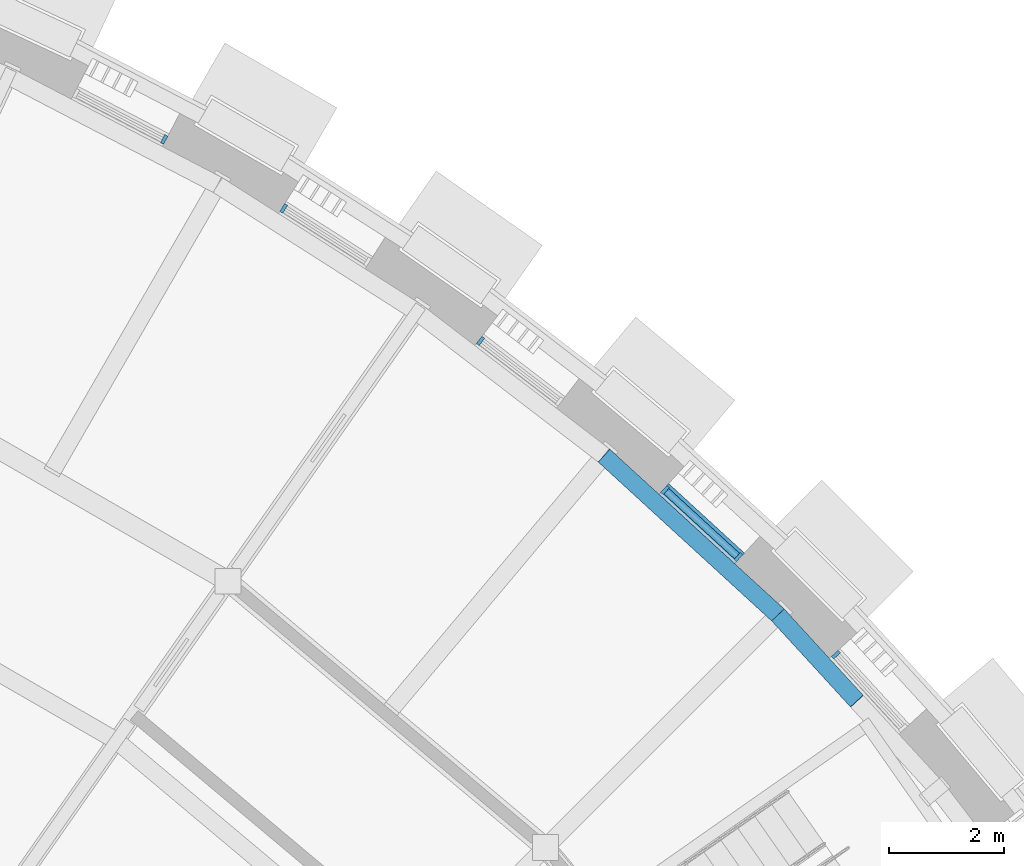
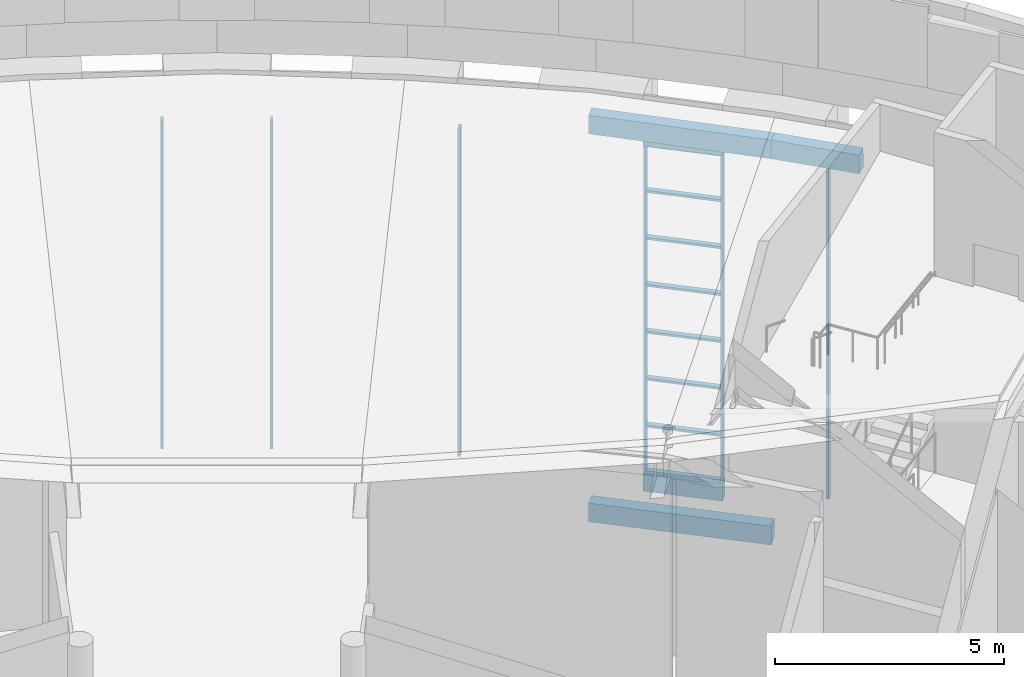
# One storey, part 31 of 82: 14 members, 5 beams, 5 elements without a shape of their own.
"""IFC4 building model written with IfcOpenShell, lengths in metres."""

import ifcopenshell
import ifcopenshell.guid

model = None  # the IFC model being written
_history = None  # IfcOwnerHistory: only IFC2X3 demands one
_inside = {}  # id of a spatial element -> (the spatial element, [elements in it])
_under = {}  # id of a project, library or spatial element -> (it, [spatial elements below it])
_declared = {}  # id of a project -> (the project, [libraries it declares])
_typed = {}  # id of a type object -> (the type object, [elements of that type])
_made_of = {}  # id of a material, layer set ... -> (it, [elements and type objects made of it])


def new_model(schema):
    """Start an empty IFC model of exactly this schema.

    Asked for "IFC4X3", IfcOpenShell would pick the latest addendum, in which some entities
    have other attributes; the version numbers below select the first issue.
    IFC2X3 requires an IfcOwnerHistory on every rooted entity: one is made here for all.
    """
    global model, _history
    if schema == "IFC4X3":
        model = ifcopenshell.file(schema_version=(4, 3, 0, 0))
    else:
        model = ifcopenshell.file(schema=schema)
    _inside.clear()
    _under.clear()
    _declared.clear()
    _typed.clear()
    _made_of.clear()
    _history = None
    if model.schema == "IFC2X3":
        org = make("IfcOrganization", Name="unknown")
        user = make(
            "IfcPersonAndOrganization",
            ThePerson=make("IfcPerson", FamilyName="unknown"),
            TheOrganization=org,
        )
        app = make(
            "IfcApplication",
            ApplicationDeveloper=org,
            Version="unknown",
            ApplicationFullName="unknown",
            ApplicationIdentifier="unknown",
        )
        _history = make(
            "IfcOwnerHistory",
            OwningUser=user,
            OwningApplication=app,
            ChangeAction="ADDED",
            CreationDate=0,
        )
    return model


def make(cls, **values):
    """One entity of the class cls with the attributes given. An attribute that is None is left unset."""
    return model.create_entity(
        cls, **{name: value for name, value in values.items() if value is not None}
    )


def rooted(cls, **values):
    """An entity with a GlobalId (a new one), such as an element, a storey or a relation."""
    return make(cls, GlobalId=ifcopenshell.guid.new(), OwnerHistory=_history, **values)


def si_unit(unit_type, name, prefix=None):
    """IfcSIUnit, for example si_unit("LENGTHUNIT", "METRE", prefix="MILLI")."""
    return make("IfcSIUnit", UnitType=unit_type, Prefix=prefix, Name=name)


def assignment(units):
    """IfcUnitAssignment: the units of a project."""
    return None if units is None else make("IfcUnitAssignment", Units=units)


def point(xyz):
    """IfcCartesianPoint."""
    return None if xyz is None else make("IfcCartesianPoint", Coordinates=xyz)


def direction(xyz):
    """IfcDirection."""
    return None if xyz is None else make("IfcDirection", DirectionRatios=xyz)


def frame(location, z_axis=None, x_axis=None):
    """IfcAxis2Placement3D, a coordinate frame: its origin and axes. An axis left out is left unset."""
    return make(
        "IfcAxis2Placement3D",
        Location=point(location),
        Axis=direction(z_axis),
        RefDirection=direction(x_axis),
    )


def frame_2d(location, x_axis=None):
    """IfcAxis2Placement2D, a coordinate frame in the plane: its origin and x axis."""
    return make(
        "IfcAxis2Placement2D", Location=point(location), RefDirection=direction(x_axis)
    )


def origin():
    """The frame at (0, 0, 0) with its axes left unset."""
    return frame((0.0, 0.0, 0.0))


def origin_2d():
    """The frame at (0, 0) in the plane with its x axis left unset."""
    return frame_2d((0.0, 0.0))


def place(relative_to, where):
    """IfcLocalPlacement: puts the frame where relative to a parent placement (None: the world)."""
    return make(
        "IfcLocalPlacement", PlacementRelTo=relative_to, RelativePlacement=where
    )


def context(
    kind, dimensions, precision=None, world=None, true_north=None, identifier=None
):
    """IfcGeometricRepresentationContext, for example the 3D "Model" context."""
    return make(
        "IfcGeometricRepresentationContext",
        ContextIdentifier=identifier,
        ContextType=kind,
        CoordinateSpaceDimension=dimensions,
        Precision=precision,
        WorldCoordinateSystem=world,
        TrueNorth=true_north,
    )


def subcontext(parent, identifier, kind, view, scale=None):
    """IfcGeometricRepresentationSubContext, for example "Body" below "Model"."""
    return make(
        "IfcGeometricRepresentationSubContext",
        ContextIdentifier=identifier,
        ContextType=kind,
        ParentContext=parent,
        TargetScale=scale,
        TargetView=view,
    )


def project(units=None, contexts=None):
    """IfcProject with its units and contexts."""
    return rooted(
        "IfcProject",
        Name="project",
        RepresentationContexts=contexts,
        UnitsInContext=assignment(units),
    )


def spatial(cls, under=None, at=None, **own):
    """A site, building, storey or space (cls), placed at a placement, below another one or the project."""
    s = rooted(cls, ObjectPlacement=at, **own)
    if under is not None:
        _under.setdefault(under.id(), (under, []))[1].append(s)
    return s


def profile(cls, at=None, kind="AREA", **sizes):
    """A parametric profile (cls). Its sizes go by their IFC names, for example OverallWidth=200.0."""
    return make(cls, ProfileType=kind, Position=at, **sizes)


def rectangle(**sizes):
    """IfcRectangleProfileDef."""
    return profile("IfcRectangleProfileDef", **sizes)


def extrude(swept, where, along, depth):
    """IfcExtrudedAreaSolid: the profile swept, set in the frame where, extruded along a direction by depth."""
    return make(
        "IfcExtrudedAreaSolid",
        SweptArea=swept,
        Position=where,
        ExtrudedDirection=direction(along),
        Depth=depth,
    )


def shape(context_of_items, identifier, shape_type, items):
    """IfcShapeRepresentation: the items that make up one representation, for example the "Body"."""
    return make(
        "IfcShapeRepresentation",
        ContextOfItems=context_of_items,
        RepresentationIdentifier=identifier,
        RepresentationType=shape_type,
        Items=items,
    )


def material(Name=None, Category=None):
    """IfcMaterial."""
    return make("IfcMaterial", Name=Name, Category=Category)


def layer(
    of_material, thickness, ventilated=None, Name=None, Category=None, Priority=None
):
    """IfcMaterialLayer: one layer of a wall or slab, of a material (None: an air gap)."""
    return make(
        "IfcMaterialLayer",
        Material=of_material,
        LayerThickness=thickness,
        IsVentilated=ventilated,
        Name=Name,
        Category=Category,
        Priority=Priority,
    )


def layer_set(layers, Name=None):
    """IfcMaterialLayerSet."""
    return make("IfcMaterialLayerSet", MaterialLayers=layers, LayerSetName=Name)


def material_profile(
    of_material, cross_section, Name=None, Category=None, Priority=None
):
    """IfcMaterialProfile: a cross section and its material."""
    return make(
        "IfcMaterialProfile",
        Name=Name,
        Material=of_material,
        Profile=cross_section,
        Priority=Priority,
        Category=Category,
    )


def profile_set(profiles, Name=None, composite=None):
    """IfcMaterialProfileSet."""
    return make(
        "IfcMaterialProfileSet",
        Name=Name,
        MaterialProfiles=profiles,
        CompositeProfile=composite,
    )


def made_of(thing, what):
    """Note that an element or type object is made of a material, layer set ...; save() writes the relation."""
    if what is not None:
        _made_of.setdefault(what.id(), (what, []))[1].append(thing)
    return thing


def type_object(cls, material=None, **own):
    """A type object (cls), such as IfcWallType, which elements share."""
    return made_of(rooted(cls, **own), material)


def element(
    cls,
    number,
    at=None,
    inside=None,
    cuts=None,
    type_object=None,
    material=None,
    context=None,
    identifier="Body",
    shape_type=None,
    held_by="IfcProductDefinitionShape",
    body=None,
    shapes=None,
    **own,
):
    """One element of the class cls, such as IfcWall. Its Tag is "e" and its number.

    at: its placement. inside: the storey or other place that contains it. cuts: it is an
    opening in that element (IfcRelVoidsElement). A single representation is given by context,
    identifier, shape_type and body (its items); several are given by shapes. held_by: the class
    of the entity that holds the representations. save() writes the other relations.
    """
    e = rooted(cls, Tag="e%d" % number, ObjectPlacement=at, **own)
    if body is not None:
        shapes = [shape(context, identifier, shape_type, body)]
    if shapes is not None:
        e.Representation = make(held_by, Representations=shapes)
    if inside is not None:
        _inside.setdefault(inside.id(), (inside, []))[1].append(e)
    if cuts is not None:
        rooted(
            "IfcRelVoidsElement", RelatingBuildingElement=cuts, RelatedOpeningElement=e
        )
    if type_object is not None:
        _typed.setdefault(type_object.id(), (type_object, []))[1].append(e)
    return made_of(e, material)


def aggregate(whole, parts):
    """IfcRelAggregates: a whole, such as a stair, and the parts it consists of."""
    return rooted("IfcRelAggregates", RelatingObject=whole, RelatedObjects=parts)


def save(model, path):
    """Write the relations noted so far, then the file.

    IfcRelAggregates (storeys below a building ...), IfcRelContainedInSpatialStructure (elements
    in a storey), IfcRelDefinesByType, IfcRelAssociatesMaterial and IfcRelDeclares: one each for
    every whole, place, type object, material and project.
    """
    for whole, parts in _under.values():
        aggregate(whole, parts)
    for where, things in _inside.values():
        rooted(
            "IfcRelContainedInSpatialStructure",
            RelatedElements=things,
            RelatingStructure=where,
        )
    for kind, things in _typed.values():
        rooted("IfcRelDefinesByType", RelatedObjects=things, RelatingType=kind)
    for what, things in _made_of.values():
        rooted("IfcRelAssociatesMaterial", RelatedObjects=things, RelatingMaterial=what)
    for by, libraries in _declared.values():
        rooted("IfcRelDeclares", RelatingContext=by, RelatedDefinitions=libraries)
    model.write(path)


model = new_model("IFC4")

# Units and contexts
model_context = context("Model", 3, precision=1e-05, world=origin(), true_north=direction((0.0, 1.0)))
body_context = subcontext(model_context, "Body", "Model", "MODEL_VIEW")
ifc_project = project(units=[si_unit("LENGTHUNIT", "METRE"), si_unit("AREAUNIT", "SQUARE_METRE"), si_unit("VOLUMEUNIT", "CUBIC_METRE"), si_unit("PLANEANGLEUNIT", "RADIAN"), si_unit("MASSUNIT", "GRAM", prefix="KILO")], contexts=[model_context])

# Site, building, storey
site_placement = place(None, origin())
site = spatial("IfcSite", under=ifc_project, at=site_placement, CompositionType="ELEMENT")
building_placement = place(site_placement, origin())
building = spatial("IfcBuilding", under=site, at=building_placement, Name="Volute Hill Aquarium", CompositionType="ELEMENT")
storey_placement = place(building_placement, frame((0.0, 0.0, 13.800048828125)))
storey = spatial("IfcBuildingStorey", under=building, at=storey_placement, Name="L04", CompositionType="ELEMENT", Elevation=13.800048828125)

# Curtain wall, member
ifc_material_1 = material(Name="Aluminium", Category="aluminium")
ifc_layer = layer(ifc_material_1, 0.25)
ifc_layer_set = layer_set([ifc_layer], Name="Curtain wall niche S5 module 1786")
curtain_wall_type = type_object("IfcCurtainWallType", Name="Curtain wall niche S5 module 1786", PredefinedType="NOTDEFINED", material=ifc_layer_set)
curtain_wall_1_placement = place(storey_placement, origin())
curtain_wall_1 = element("IfcCurtainWall", 1, at=curtain_wall_1_placement, inside=storey, type_object=curtain_wall_type, Name="Curtain wall CW S5 L04 2", PredefinedType="NOTDEFINED")
ifc_material_2 = material(Name="Aluminium", Category="aluminium")
ifc_material_profile_1 = material_profile(ifc_material_2, rectangle(XDim=0.159912109375, YDim=0.06005859375, at=origin_2d()), Name="Curtain wall mullion S5 60x160")
ifc_profile_set_1 = profile_set([ifc_material_profile_1], Name="Aluminium")
member_type_1 = type_object("IfcMemberType", Name="Curtain wall mullion S5 60x160", PredefinedType="MULLION", material=ifc_profile_set_1)
member_1_placement = place(storey_placement, frame((34.238525390625, 32.544189453125, 0.449951171875), z_axis=(0.0, 0.0, 1.0), x_axis=(-0.737282446313, -0.675584631529, 0.0)))
member_1 = element("IfcMember", 2, at=member_1_placement, type_object=member_type_1, Name="CW mullion 2", PredefinedType="MULLION", context=body_context, shape_type="SweptSolid", body=[
    extrude(rectangle(XDim=0.159912109375, YDim=0.06005859375, at=origin_2d()), origin(), (0.0, 0.0, 1.0), 8.77587890625),
])
aggregate(curtain_wall_1, [member_1])

# Curtain wall, members
curtain_wall_2_placement = place(storey_placement, origin())
curtain_wall_2 = element("IfcCurtainWall", 3, at=curtain_wall_2_placement, inside=storey, type_object=curtain_wall_type, Name="Curtain wall CW S5 L04 3", PredefinedType="NOTDEFINED")
member_2_placement = place(storey_placement, frame((32.5439453125, 34.238525390625, 0.449951171875), z_axis=(0.0, 0.0, 1.0), x_axis=(-0.675584631529, -0.737282446313, 0.0)))
member_2 = element("IfcMember", 4, at=member_2_placement, type_object=member_type_1, Name="CW mullion 1", PredefinedType="MULLION", context=body_context, shape_type="SweptSolid", body=[
    extrude(rectangle(XDim=0.159912109375, YDim=0.06005859375, at=origin_2d()), origin(), (0.0, 0.0, 1.0), 8.77587890625),
])
member_3_placement = place(storey_placement, frame((31.271728515625, 35.404296875, 0.449951171875), z_axis=(0.0, 0.0, 1.0), x_axis=(-0.675584631529, -0.737282446313, 0.0)))
member_3 = element("IfcMember", 5, at=member_3_placement, type_object=member_type_1, Name="CW mullion 2", PredefinedType="MULLION", context=body_context, shape_type="SweptSolid", body=[
    extrude(rectangle(XDim=0.159912109375, YDim=0.06005859375, at=origin_2d()), origin(), (0.0, 0.0, 1.0), 8.77587890625),
])

# Curtain wall, member
curtain_wall_3_placement = place(storey_placement, origin())
curtain_wall_3 = element("IfcCurtainWall", 6, at=curtain_wall_3_placement, inside=storey, type_object=curtain_wall_type, Name="Curtain wall CW S5 L04 4", PredefinedType="NOTDEFINED")
member_4_placement = place(storey_placement, frame((28.067138671875, 37.9951171875, 0.449951171875), z_axis=(0.0, 0.0, 1.0), x_axis=(-0.608754932261, -0.793358325379, 0.0)))
member_4 = element("IfcMember", 7, at=member_4_placement, type_object=member_type_1, Name="CW mullion 2", PredefinedType="MULLION", context=body_context, shape_type="SweptSolid", body=[
    extrude(rectangle(XDim=0.159912109375, YDim=0.06005859375, at=origin_2d()), origin(), (0.0, 0.0, 1.0), 8.77587890625),
])
aggregate(curtain_wall_3, [member_4])

curtain_wall_4_placement = place(storey_placement, origin())
curtain_wall_4 = element("IfcCurtainWall", 8, at=curtain_wall_4_placement, inside=storey, type_object=curtain_wall_type, Name="Curtain wall CW S5 L04 5", PredefinedType="NOTDEFINED")
member_5_placement = place(storey_placement, frame((24.648681640625, 40.296630859375, 0.449951171875), z_axis=(0.0, 0.0, 1.0), x_axis=(-0.537309538629, -0.843385119444, 0.0)))
member_5 = element("IfcMember", 9, at=member_5_placement, type_object=member_type_1, Name="CW mullion 2", PredefinedType="MULLION", context=body_context, shape_type="SweptSolid", body=[
    extrude(rectangle(XDim=0.159912109375, YDim=0.06005859375, at=origin_2d()), origin(), (0.0, 0.0, 1.0), 8.77587890625),
])
aggregate(curtain_wall_4, [member_5])

curtain_wall_5_placement = place(storey_placement, origin())
curtain_wall_5 = element("IfcCurtainWall", 10, at=curtain_wall_5_placement, inside=storey, type_object=curtain_wall_type, Name="Curtain wall CW S5 L04 6", PredefinedType="NOTDEFINED")
member_6_placement = place(storey_placement, frame((22.573486328125, 41.494873046875, 0.449951171875), z_axis=(0.0, 0.0, 1.0), x_axis=(-0.461755077763, -0.887007467928, 0.0)))
member_6 = element("IfcMember", 11, at=member_6_placement, type_object=member_type_1, Name="CW mullion 1", PredefinedType="MULLION", context=body_context, shape_type="SweptSolid", body=[
    extrude(rectangle(XDim=0.159912109375, YDim=0.06005859375, at=origin_2d()), origin(), (0.0, 0.0, 1.0), 8.77587890625),
])
aggregate(curtain_wall_5, [member_6])

# Member
ifc_material_3 = material(Name="Aluminium", Category="aluminium")
ifc_material_profile_2 = material_profile(ifc_material_3, rectangle(XDim=0.1298828125, YDim=0.06005859375, at=origin_2d()), Name="Curtain wall transom S5 60x130")
ifc_profile_set_2 = profile_set([ifc_material_profile_2], Name="Aluminium")
member_type_2 = type_object("IfcMemberType", Name="Curtain wall transom S5 60x130", PredefinedType="USERDEFINED", material=ifc_profile_set_2)
member_7_placement = place(storey_placement, frame((32.52197265625, 34.2587890625, 0.47998046875), z_axis=(-0.73728798199, 0.675578590257, 0.0), x_axis=(-0.675578590257, -0.73728798199, 0.0)))
member_7 = element("IfcMember", 12, at=member_7_placement, type_object=member_type_2, Name="CW transom 1.1", ObjectType="TRANSOM", PredefinedType="USERDEFINED", context=body_context, shape_type="SweptSolid", body=[
    extrude(rectangle(XDim=0.1298828125, YDim=0.06005859375, at=origin_2d()), origin(), (0.0, 0.0, 1.0), 1.66552734375),
])

member_8_placement = place(storey_placement, frame((32.52197265625, 34.2587890625, 1.70361328125), z_axis=(-0.73728798199, 0.675578590257, 0.0), x_axis=(-0.675578590257, -0.73728798199, 0.0)))
member_8 = element("IfcMember", 13, at=member_8_placement, type_object=member_type_2, Name="CW transom 1.2", ObjectType="TRANSOM", PredefinedType="USERDEFINED", context=body_context, shape_type="SweptSolid", body=[
    extrude(rectangle(XDim=0.1298828125, YDim=0.06005859375, at=origin_2d()), origin(), (0.0, 0.0, 1.0), 1.66552734375),
])

member_9_placement = place(storey_placement, frame((32.52197265625, 34.2587890625, 2.957275390625), z_axis=(-0.73728798199, 0.675578590257, 0.0), x_axis=(-0.675578590257, -0.73728798199, 0.0)))
member_9 = element("IfcMember", 14, at=member_9_placement, type_object=member_type_2, Name="CW transom 1.3", ObjectType="TRANSOM", PredefinedType="USERDEFINED", context=body_context, shape_type="SweptSolid", body=[
    extrude(rectangle(XDim=0.1298828125, YDim=0.06005859375, at=origin_2d()), origin(), (0.0, 0.0, 1.0), 1.66552734375),
])

member_10_placement = place(storey_placement, frame((32.52197265625, 34.2587890625, 4.2109375), z_axis=(-0.73728798199, 0.675578590257, 0.0), x_axis=(-0.675578590257, -0.73728798199, 0.0)))
member_10 = element("IfcMember", 15, at=member_10_placement, type_object=member_type_2, Name="CW transom 1.4", ObjectType="TRANSOM", PredefinedType="USERDEFINED", context=body_context, shape_type="SweptSolid", body=[
    extrude(rectangle(XDim=0.1298828125, YDim=0.06005859375, at=origin_2d()), origin(), (0.0, 0.0, 1.0), 1.66552734375),
])

member_11_placement = place(storey_placement, frame((32.52197265625, 34.2587890625, 5.46484375), z_axis=(-0.73728798199, 0.675578590257, 0.0), x_axis=(-0.675578590257, -0.73728798199, 0.0)))
member_11 = element("IfcMember", 16, at=member_11_placement, type_object=member_type_2, Name="CW transom 1.5", ObjectType="TRANSOM", PredefinedType="USERDEFINED", context=body_context, shape_type="SweptSolid", body=[
    extrude(rectangle(XDim=0.1298828125, YDim=0.06005859375, at=origin_2d()), origin(), (0.0, 0.0, 1.0), 1.66552734375),
])

member_12_placement = place(storey_placement, frame((32.52197265625, 34.2587890625, 6.718505859375), z_axis=(-0.73728798199, 0.675578590257, 0.0), x_axis=(-0.675578590257, -0.73728798199, 0.0)))
member_12 = element("IfcMember", 17, at=member_12_placement, type_object=member_type_2, Name="CW transom 1.6", ObjectType="TRANSOM", PredefinedType="USERDEFINED", context=body_context, shape_type="SweptSolid", body=[
    extrude(rectangle(XDim=0.1298828125, YDim=0.06005859375, at=origin_2d()), origin(), (0.0, 0.0, 1.0), 1.66552734375),
])

member_13_placement = place(storey_placement, frame((32.52197265625, 34.2587890625, 7.97216796875), z_axis=(-0.73728798199, 0.675578590257, 0.0), x_axis=(-0.675578590257, -0.73728798199, 0.0)))
member_13 = element("IfcMember", 18, at=member_13_placement, type_object=member_type_2, Name="CW transom 1.7", ObjectType="TRANSOM", PredefinedType="USERDEFINED", context=body_context, shape_type="SweptSolid", body=[
    extrude(rectangle(XDim=0.1298828125, YDim=0.06005859375, at=origin_2d()), origin(), (0.0, 0.0, 1.0), 1.66552734375),
])

member_14_placement = place(storey_placement, frame((32.52197265625, 34.2587890625, 9.19580078125), z_axis=(-0.73728798199, 0.675578590257, 0.0), x_axis=(-0.675578590257, -0.73728798199, 0.0)))
member_14 = element("IfcMember", 19, at=member_14_placement, type_object=member_type_2, Name="CW transom 1.8", ObjectType="TRANSOM", PredefinedType="USERDEFINED", context=body_context, shape_type="SweptSolid", body=[
    extrude(rectangle(XDim=0.1298828125, YDim=0.06005859375, at=origin_2d()), origin(), (0.0, 0.0, 1.0), 1.66552734375),
])

aggregate(curtain_wall_2, [member_2, member_3, member_7, member_8, member_9, member_10, member_11, member_12, member_13, member_14])

# Beams
ifc_material_4 = material(Name="Concrete C35/45", Category="concrete")
ifc_material_profile_3 = material_profile(ifc_material_4, rectangle(XDim=0.300048828125, YDim=0.5, at=origin_2d()), Name="RC edge beam 300x500")
ifc_profile_set_3 = profile_set([ifc_material_profile_3], Name="Concrete C35/45")
beam_type_1 = type_object("IfcBeamType", Name="Edge beam 300x500 C35/45", PredefinedType="BEAM", material=ifc_profile_set_3)
beam_1_placement = place(storey_placement, frame((33.23388671875, 33.23388671875, -0.5400390625), z_axis=(-0.737277710413, 0.675589799899, 0.0), x_axis=(-0.675589799899, -0.737277710413, 0.0)))
element("IfcBeam", 20, at=beam_1_placement, inside=storey, type_object=beam_type_1, Name="bm/S5/L04/edgeO.44", PredefinedType="BEAM", context=body_context, shape_type="SweptSolid", body=[
    extrude(rectangle(XDim=0.300048828125, YDim=0.5, at=origin_2d()), origin(), (0.0, 0.0, 1.0), 4.10009765625),
])
beam_2_placement = place(storey_placement, frame((34.6044921875, 31.738037109375, 9.798828125), z_axis=(-0.675523370867, 0.737251815693, -0.011310865134), x_axis=(-0.737298980621, -0.675566586781, 0.0)))
element("IfcBeam", 21, at=beam_2_placement, inside=storey, type_object=beam_type_1, Name="rb/S5/L04/edgeO.43", PredefinedType="BEAM", context=body_context, shape_type="SweptSolid", body=[
    extrude(rectangle(XDim=0.300048828125, YDim=0.5, at=origin_2d()), origin(), (0.0, 0.0, 1.0), 2.029052734375),
])
beam_3_placement = place(storey_placement, frame((33.23388671875, 33.23388671875, 9.77587890625), z_axis=(-0.737231026842, 0.675547022334, 0.011253162984), x_axis=(-0.675589799899, -0.737277710413, 0.0)))
element("IfcBeam", 22, at=beam_3_placement, inside=storey, type_object=beam_type_1, Name="rb/S5/L04/edgeO.44", PredefinedType="BEAM", context=body_context, shape_type="SweptSolid", body=[
    extrude(rectangle(XDim=0.300048828125, YDim=0.5, at=origin_2d()), origin(), (0.0, 0.0, 1.0), 4.100341796875),
])
ifc_material_5 = material(Name="Concrete C35/45", Category="concrete")
ifc_material_profile_4 = material_profile(ifc_material_5, rectangle(XDim=0.25, YDim=0.300048828125, at=origin_2d()), Name="RC beam 250x300")
ifc_profile_set_4 = profile_set([ifc_material_profile_4], Name="Concrete C35/45")
beam_type_2 = type_object("IfcBeamType", Name="Niche head beam RC 250x300 C35/45", PredefinedType="BEAM", material=ifc_profile_set_4)
beam_4_placement = place(storey_placement, frame((32.566162109375, 34.21826171875, 9.375732421875), z_axis=(-0.737267644497, 0.675600784767, 0.0), x_axis=(-0.675600784767, -0.737267644497, 0.0)))
element("IfcBeam", 23, at=beam_4_placement, inside=storey, type_object=beam_type_2, Name="Niche head beam OWB S5 L04 3", PredefinedType="BEAM", context=body_context, shape_type="SweptSolid", body=[
    extrude(rectangle(XDim=0.25, YDim=0.300048828125, at=origin_2d()), origin(), (0.0, 0.0, 1.0), 1.785400390625),
])
ifc_material_6 = material(Name="Concrete C35/45", Category="concrete")
ifc_material_profile_5 = material_profile(ifc_material_6, rectangle(XDim=0.25, YDim=0.449951171875, at=origin_2d()), Name="RC beam 250x450")
ifc_profile_set_5 = profile_set([ifc_material_profile_5], Name="Concrete C35/45")
beam_type_3 = type_object("IfcBeamType", Name="Niche sill beam RC 250x450 C35/45", PredefinedType="BEAM", material=ifc_profile_set_5)
beam_5_placement = place(storey_placement, frame((32.566162109375, 34.21826171875, 0.224853515625), z_axis=(-0.737267644497, 0.675600784767, 0.0), x_axis=(-0.675600784767, -0.737267644497, 0.0)))
element("IfcBeam", 24, at=beam_5_placement, inside=storey, type_object=beam_type_3, Name="Niche sill beam OWB S5 L04 3", PredefinedType="BEAM", context=body_context, shape_type="SweptSolid", body=[
    extrude(rectangle(XDim=0.25, YDim=0.449951171875, at=origin_2d()), origin(), (0.0, 0.0, 1.0), 1.785400390625),
])

save(model, "model.ifc")
